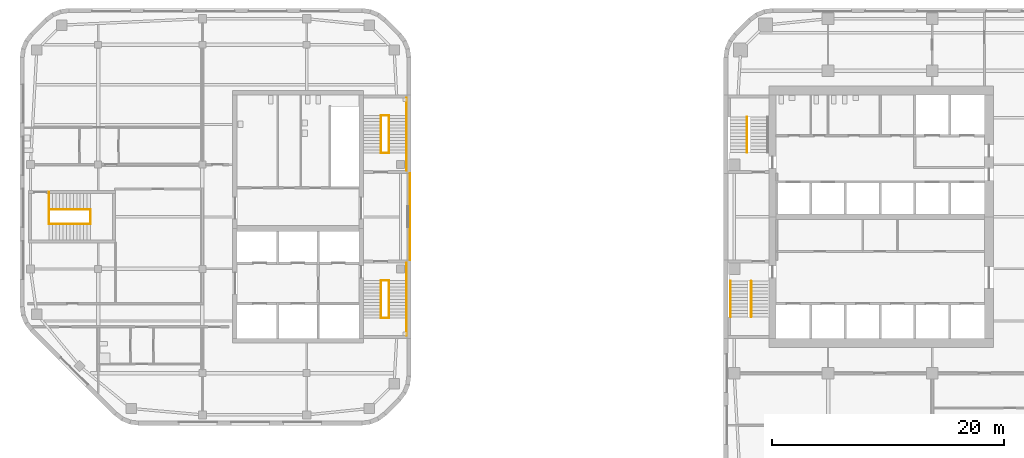
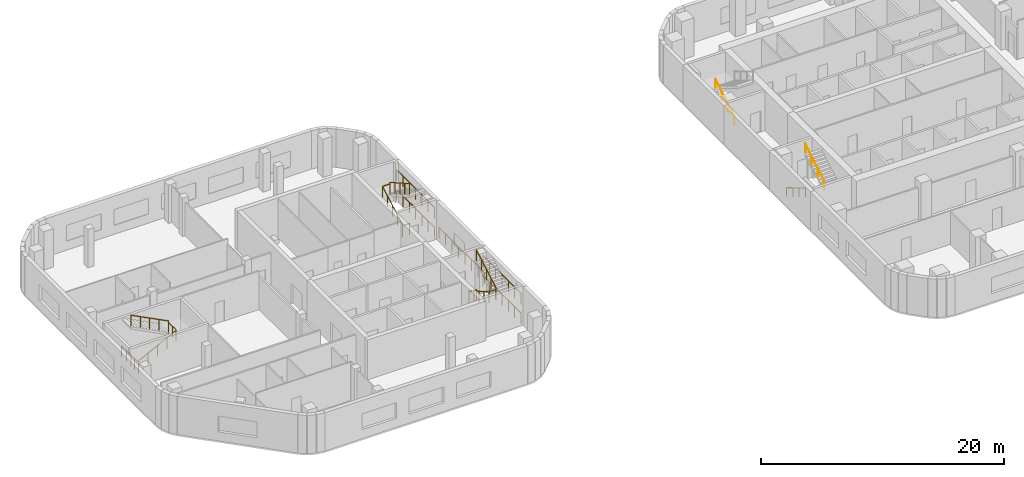
# One storey, part 12 of 14: 21 railings, 2 elements without a shape of their own.
"""IFC4 building model written with IfcOpenShell, lengths in metres."""

from ifc_helpers import new_model, si_unit, direction, frame, origin, origin_2d, place, context, subcontext, project, spatial, circle, extrude, material, type_object, element, aggregate, save


model = new_model("IFC4")

# Units and contexts
model_context = context("Model", 3, precision=1e-05, world=origin(), true_north=direction((0.0, 1.0)))
body_context = subcontext(model_context, "Body", "Model", "MODEL_VIEW")
ifc_project = project(units=[si_unit("LENGTHUNIT", "METRE"), si_unit("AREAUNIT", "SQUARE_METRE"), si_unit("VOLUMEUNIT", "CUBIC_METRE"), si_unit("PLANEANGLEUNIT", "RADIAN"), si_unit("MASSUNIT", "GRAM", prefix="KILO")], contexts=[model_context])

# Site, building, storey
site_placement = place(None, origin())
site = spatial("IfcSite", under=ifc_project, at=site_placement, CompositionType="ELEMENT")
building_placement = place(site_placement, origin())
building = spatial("IfcBuilding", under=site, at=building_placement, Name="Cinnabar Reach Civic Tower", CompositionType="ELEMENT")
storey_placement = place(building_placement, frame((0.0, 0.0, 104.0)))
storey = spatial("IfcBuildingStorey", under=building, at=storey_placement, Name="L24", CompositionType="ELEMENT", Elevation=104.0)

# Stair, railings
ifc_material_1 = material(Name="Concrete C40/50", Category="concrete")
stair_type = type_object("IfcStairType", Name="T1 Exit stair, half-turn", PredefinedType="HALF_TURN_STAIR", material=ifc_material_1)
stair_1_placement = place(storey_placement, origin())
stair_1 = element("IfcStair", 1, at=stair_1_placement, inside=storey, type_object=stair_type, Name="Stair T1-S1", PredefinedType="HALF_TURN_STAIR")
ifc_material_2 = material(Name="Stainless steel tube", Category="steel")
railing_type_1 = type_object("IfcRailingType", Name="T1 Stair handrail, stainless tube 48", PredefinedType="HANDRAIL", material=ifc_material_2)
railing_1_placement = place(storey_placement, frame((0.6, 25.95, 0.1667)))
railing_1 = element("IfcRailing", 2, at=railing_1_placement, type_object=railing_type_1, Name="T1-S1 handrail 1", PredefinedType="HANDRAIL", context=body_context, shape_type="SweptSolid", body=[
    extrude(circle(Radius=0.024, at=origin_2d()), frame((0.0, 0.0, 0.876), z_axis=(0.0, -0.859296971757, 0.511476992962), x_axis=(1.0, 0.0, 0.0)), (0.0, 0.0, 1.0), 3.5843),
    extrude(circle(Radius=0.021, at=origin_2d()), origin(), (0.0, 0.0, 1.0), 0.852),
    extrude(circle(Radius=0.021, at=origin_2d()), frame((0.0, -1.0267, 0.6111)), (0.0, 0.0, 1.0), 0.852),
    extrude(circle(Radius=0.021, at=origin_2d()), frame((0.0, -2.0533, 1.2222)), (0.0, 0.0, 1.0), 0.852),
    extrude(circle(Radius=0.021, at=origin_2d()), frame((0.0, -3.08, 1.8333)), (0.0, 0.0, 1.0), 0.852),
])
railing_2_placement = place(storey_placement, frame((2.375, 22.87, 2.1667)))
railing_2 = element("IfcRailing", 3, at=railing_2_placement, type_object=railing_type_1, Name="T1-S1 handrail 2", PredefinedType="HANDRAIL", context=body_context, shape_type="SweptSolid", body=[
    extrude(circle(Radius=0.024, at=origin_2d()), frame((0.0, 0.0, 0.876), z_axis=(0.0, 0.859296971757, 0.511476992962), x_axis=(-1.0, 0.0, 0.0)), (0.0, 0.0, 1.0), 3.5843),
    extrude(circle(Radius=0.021, at=origin_2d()), origin(), (0.0, 0.0, 1.0), 0.852),
    extrude(circle(Radius=0.021, at=origin_2d()), frame((0.0, 1.0267, 0.6111)), (0.0, 0.0, 1.0), 0.852),
    extrude(circle(Radius=0.021, at=origin_2d()), frame((0.0, 2.0533, 1.2222)), (0.0, 0.0, 1.0), 0.852),
    extrude(circle(Radius=0.021, at=origin_2d()), frame((0.0, 3.08, 1.8333)), (0.0, 0.0, 1.0), 0.852),
])
aggregate(stair_1, [railing_1, railing_2])

# Stair, railing
stair_2_placement = place(storey_placement, origin())
stair_2 = element("IfcStair", 4, at=stair_2_placement, inside=storey, type_object=stair_type, Name="Stair T1-S2", PredefinedType="HALF_TURN_STAIR")
railing_3_placement = place(storey_placement, frame((2.025, 37.05, 0.1667)))
railing_3 = element("IfcRailing", 5, at=railing_3_placement, type_object=railing_type_1, Name="T1-S2 handrail 1", PredefinedType="HANDRAIL", context=body_context, shape_type="SweptSolid", body=[
    extrude(circle(Radius=0.024, at=origin_2d()), frame((0.0, 0.0, 0.876), z_axis=(0.0, 0.859296971757, 0.511476992962), x_axis=(-1.0, 0.0, 0.0)), (0.0, 0.0, 1.0), 3.5843),
    extrude(circle(Radius=0.021, at=origin_2d()), origin(), (0.0, 0.0, 1.0), 0.852),
    extrude(circle(Radius=0.021, at=origin_2d()), frame((0.0, 1.0267, 0.6111)), (0.0, 0.0, 1.0), 0.852),
    extrude(circle(Radius=0.021, at=origin_2d()), frame((0.0, 2.0533, 1.2222)), (0.0, 0.0, 1.0), 0.852),
    extrude(circle(Radius=0.021, at=origin_2d()), frame((0.0, 3.08, 1.8333)), (0.0, 0.0, 1.0), 0.852),
])
aggregate(stair_2, [railing_3])

# Railings
ifc_material_3 = material(Name="Stainless steel", Category="steel")
railing_type_2 = type_object("IfcRailingType", Name="T2 Stair guard 1100", PredefinedType="GUARDRAIL", material=ifc_material_3)
railing_4_placement = place(storey_placement, frame((-27.1, 27.75, 0.0)))
element("IfcRailing", 6, at=railing_4_placement, inside=storey, type_object=railing_type_2, Name="Corridor end guard", PredefinedType="GUARDRAIL", context=body_context, shape_type="SweptSolid", body=[
    extrude(circle(Radius=0.024, at=origin_2d()), frame((0.0, 0.0, 1.076), z_axis=(0.0, 1.0, 0.0), x_axis=(-1.0, 0.0, 0.0)), (0.0, 0.0, 1.0), 7.5),
    extrude(circle(Radius=0.021, at=origin_2d()), origin(), (0.0, 0.0, 1.0), 1.052),
    extrude(circle(Radius=0.021, at=origin_2d()), frame((0.0, 1.0714, 0.0)), (0.0, 0.0, 1.0), 1.052),
    extrude(circle(Radius=0.021, at=origin_2d()), frame((0.0, 2.1429, 0.0)), (0.0, 0.0, 1.0), 1.052),
    extrude(circle(Radius=0.021, at=origin_2d()), frame((0.0, 3.2143, 0.0)), (0.0, 0.0, 1.0), 1.052),
    extrude(circle(Radius=0.021, at=origin_2d()), frame((0.0, 4.2857, 0.0)), (0.0, 0.0, 1.0), 1.052),
    extrude(circle(Radius=0.021, at=origin_2d()), frame((0.0, 5.3571, 0.0)), (0.0, 0.0, 1.0), 1.052),
    extrude(circle(Radius=0.021, at=origin_2d()), frame((0.0, 6.4286, 0.0)), (0.0, 0.0, 1.0), 1.052),
    extrude(circle(Radius=0.021, at=origin_2d()), frame((0.0, 7.5, 0.0)), (0.0, 0.0, 1.0), 1.052),
])
for number, where, name in (
    (7, (-27.4, 21.25, 0.0), "Stair guard 1"),
    (8, (-27.4, 21.25, 2.0), "Stair guard 1"),
):
    element("IfcRailing", number, at=place(storey_placement, frame(where)), inside=storey, type_object=railing_type_2, Name=name, PredefinedType="GUARDRAIL", context=body_context, shape_type="SweptSolid", body=[
        extrude(circle(Radius=0.024, at=origin_2d()), frame((0.0, 0.0, 1.076), z_axis=(0.0, 1.0, 0.0), x_axis=(-1.0, 0.0, 0.0)), (0.0, 0.0, 1.0), 6.25),
        extrude(circle(Radius=0.021, at=origin_2d()), origin(), (0.0, 0.0, 1.0), 1.052),
        extrude(circle(Radius=0.021, at=origin_2d()), frame((0.0, 1.0417, 0.0)), (0.0, 0.0, 1.0), 1.052),
        extrude(circle(Radius=0.021, at=origin_2d()), frame((0.0, 2.0833, 0.0)), (0.0, 0.0, 1.0), 1.052),
        extrude(circle(Radius=0.021, at=origin_2d()), frame((0.0, 3.125, 0.0)), (0.0, 0.0, 1.0), 1.052),
        extrude(circle(Radius=0.021, at=origin_2d()), frame((0.0, 4.1667, 0.0)), (0.0, 0.0, 1.0), 1.052),
        extrude(circle(Radius=0.021, at=origin_2d()), frame((0.0, 5.2083, 0.0)), (0.0, 0.0, 1.0), 1.052),
        extrude(circle(Radius=0.021, at=origin_2d()), frame((0.0, 6.25, 0.0)), (0.0, 0.0, 1.0), 1.052),
    ])
for number, where, name in (
    (9, (-29.6, 26.0, 0.0), "Stair guard 1"),
    (10, (-29.6, 22.75, 2.0), "Stair guard 1"),
):
    element("IfcRailing", number, at=place(storey_placement, frame(where)), inside=storey, type_object=railing_type_2, Name=name, PredefinedType="GUARDRAIL", context=body_context, shape_type="SweptSolid", body=[
        extrude(circle(Radius=0.024, at=origin_2d()), frame((0.0, 0.0, 1.076), z_axis=(1.0, 0.0, 0.0), x_axis=(0.0, 1.0, 0.0)), (0.0, 0.0, 1.0), 0.7),
        extrude(circle(Radius=0.021, at=origin_2d()), origin(), (0.0, 0.0, 1.0), 1.052),
        extrude(circle(Radius=0.021, at=origin_2d()), frame((0.7, 0.0, 0.0)), (0.0, 0.0, 1.0), 1.052),
    ])
railing_5_placement = place(storey_placement, frame((-29.6, 26.0, 0.1538)))
element("IfcRailing", 11, at=railing_5_placement, inside=storey, type_object=railing_type_2, Name="Stair guard 1", PredefinedType="GUARDRAIL", context=body_context, shape_type="SweptSolid", body=[
    extrude(circle(Radius=0.024, at=origin_2d()), frame((0.0, 0.0, 1.076), z_axis=(0.0, -0.869501474428, 0.493930345258), x_axis=(1.0, 0.0, 0.0)), (0.0, 0.0, 1.0), 3.7378),
    extrude(circle(Radius=0.021, at=origin_2d()), origin(), (0.0, 0.0, 1.0), 1.052),
    extrude(circle(Radius=0.021, at=origin_2d()), frame((0.0, -0.8125, 0.4615)), (0.0, 0.0, 1.0), 1.052),
    extrude(circle(Radius=0.021, at=origin_2d()), frame((0.0, -1.625, 0.9231)), (0.0, 0.0, 1.0), 1.052),
    extrude(circle(Radius=0.021, at=origin_2d()), frame((0.0, -2.4375, 1.3846)), (0.0, 0.0, 1.0), 1.052),
    extrude(circle(Radius=0.021, at=origin_2d()), frame((0.0, -3.25, 1.8462)), (0.0, 0.0, 1.0), 1.052),
])
railing_6_placement = place(storey_placement, frame((-28.9, 22.75, 2.1538)))
element("IfcRailing", 12, at=railing_6_placement, inside=storey, type_object=railing_type_2, Name="Stair guard 1", PredefinedType="GUARDRAIL", context=body_context, shape_type="SweptSolid", body=[
    extrude(circle(Radius=0.024, at=origin_2d()), frame((0.0, 0.0, 1.076), z_axis=(0.0, 0.869501474428, 0.493930345258), x_axis=(-1.0, 0.0, 0.0)), (0.0, 0.0, 1.0), 3.7378),
    extrude(circle(Radius=0.021, at=origin_2d()), origin(), (0.0, 0.0, 1.0), 1.052),
    extrude(circle(Radius=0.021, at=origin_2d()), frame((0.0, 0.8125, 0.4615)), (0.0, 0.0, 1.0), 1.052),
    extrude(circle(Radius=0.021, at=origin_2d()), frame((0.0, 1.625, 0.9231)), (0.0, 0.0, 1.0), 1.052),
    extrude(circle(Radius=0.021, at=origin_2d()), frame((0.0, 2.4375, 1.3846)), (0.0, 0.0, 1.0), 1.052),
    extrude(circle(Radius=0.021, at=origin_2d()), frame((0.0, 3.25, 1.8462)), (0.0, 0.0, 1.0), 1.052),
])
for number, where, name in (
    (13, (-27.4, 35.5, 0.0), "Stair guard 2"),
    (14, (-27.4, 35.5, 2.0), "Stair guard 2"),
):
    element("IfcRailing", number, at=place(storey_placement, frame(where)), inside=storey, type_object=railing_type_2, Name=name, PredefinedType="GUARDRAIL", context=body_context, shape_type="SweptSolid", body=[
        extrude(circle(Radius=0.024, at=origin_2d()), frame((0.0, 0.0, 1.076), z_axis=(0.0, 1.0, 0.0), x_axis=(-1.0, 0.0, 0.0)), (0.0, 0.0, 1.0), 6.25),
        extrude(circle(Radius=0.021, at=origin_2d()), origin(), (0.0, 0.0, 1.0), 1.052),
        extrude(circle(Radius=0.021, at=origin_2d()), frame((0.0, 1.0417, 0.0)), (0.0, 0.0, 1.0), 1.052),
        extrude(circle(Radius=0.021, at=origin_2d()), frame((0.0, 2.0833, 0.0)), (0.0, 0.0, 1.0), 1.052),
        extrude(circle(Radius=0.021, at=origin_2d()), frame((0.0, 3.125, 0.0)), (0.0, 0.0, 1.0), 1.052),
        extrude(circle(Radius=0.021, at=origin_2d()), frame((0.0, 4.1667, 0.0)), (0.0, 0.0, 1.0), 1.052),
        extrude(circle(Radius=0.021, at=origin_2d()), frame((0.0, 5.2083, 0.0)), (0.0, 0.0, 1.0), 1.052),
        extrude(circle(Radius=0.021, at=origin_2d()), frame((0.0, 6.25, 0.0)), (0.0, 0.0, 1.0), 1.052),
    ])
for number, where, name in (
    (15, (-29.6, 37.0, 0.0), "Stair guard 2"),
    (16, (-29.6, 40.25, 2.0), "Stair guard 2"),
):
    element("IfcRailing", number, at=place(storey_placement, frame(where)), inside=storey, type_object=railing_type_2, Name=name, PredefinedType="GUARDRAIL", context=body_context, shape_type="SweptSolid", body=[
        extrude(circle(Radius=0.024, at=origin_2d()), frame((0.0, 0.0, 1.076), z_axis=(1.0, 0.0, 0.0), x_axis=(0.0, 1.0, 0.0)), (0.0, 0.0, 1.0), 0.7),
        extrude(circle(Radius=0.021, at=origin_2d()), origin(), (0.0, 0.0, 1.0), 1.052),
        extrude(circle(Radius=0.021, at=origin_2d()), frame((0.7, 0.0, 0.0)), (0.0, 0.0, 1.0), 1.052),
    ])
railing_7_placement = place(storey_placement, frame((-29.6, 37.0, 0.1538)))
element("IfcRailing", 17, at=railing_7_placement, inside=storey, type_object=railing_type_2, Name="Stair guard 2", PredefinedType="GUARDRAIL", context=body_context, shape_type="SweptSolid", body=[
    extrude(circle(Radius=0.024, at=origin_2d()), frame((0.0, 0.0, 1.076), z_axis=(0.0, 0.869501474428, 0.493930345258), x_axis=(-1.0, 0.0, 0.0)), (0.0, 0.0, 1.0), 3.7378),
    extrude(circle(Radius=0.021, at=origin_2d()), origin(), (0.0, 0.0, 1.0), 1.052),
    extrude(circle(Radius=0.021, at=origin_2d()), frame((0.0, 0.8125, 0.4615)), (0.0, 0.0, 1.0), 1.052),
    extrude(circle(Radius=0.021, at=origin_2d()), frame((0.0, 1.625, 0.9231)), (0.0, 0.0, 1.0), 1.052),
    extrude(circle(Radius=0.021, at=origin_2d()), frame((0.0, 2.4375, 1.3846)), (0.0, 0.0, 1.0), 1.052),
    extrude(circle(Radius=0.021, at=origin_2d()), frame((0.0, 3.25, 1.8462)), (0.0, 0.0, 1.0), 1.052),
])
railing_8_placement = place(storey_placement, frame((-28.9, 40.25, 2.1538)))
element("IfcRailing", 18, at=railing_8_placement, inside=storey, type_object=railing_type_2, Name="Stair guard 2", PredefinedType="GUARDRAIL", context=body_context, shape_type="SweptSolid", body=[
    extrude(circle(Radius=0.024, at=origin_2d()), frame((0.0, 0.0, 1.076), z_axis=(0.0, -0.869501474428, 0.493930345258), x_axis=(1.0, 0.0, 0.0)), (0.0, 0.0, 1.0), 3.7378),
    extrude(circle(Radius=0.021, at=origin_2d()), origin(), (0.0, 0.0, 1.0), 1.052),
    extrude(circle(Radius=0.021, at=origin_2d()), frame((0.0, -0.8125, 0.4615)), (0.0, 0.0, 1.0), 1.052),
    extrude(circle(Radius=0.021, at=origin_2d()), frame((0.0, -1.625, 0.9231)), (0.0, 0.0, 1.0), 1.052),
    extrude(circle(Radius=0.021, at=origin_2d()), frame((0.0, -2.4375, 1.3846)), (0.0, 0.0, 1.0), 1.052),
    extrude(circle(Radius=0.021, at=origin_2d()), frame((0.0, -3.25, 1.8462)), (0.0, 0.0, 1.0), 1.052),
])
railing_9_placement = place(storey_placement, frame((-58.25, 30.875, 0.0)))
element("IfcRailing", 19, at=railing_9_placement, inside=storey, type_object=railing_type_2, Name="Stair guard 3", PredefinedType="GUARDRAIL", context=body_context, shape_type="SweptSolid", body=[
    extrude(circle(Radius=0.024, at=origin_2d()), frame((0.0, 0.0, 1.076), z_axis=(0.0, 1.0, 0.0), x_axis=(-1.0, 0.0, 0.0)), (0.0, 0.0, 1.0), 1.25),
    extrude(circle(Radius=0.021, at=origin_2d()), origin(), (0.0, 0.0, 1.0), 1.052),
    extrude(circle(Radius=0.021, at=origin_2d()), frame((0.0, 0.625, 0.0)), (0.0, 0.0, 1.0), 1.052),
    extrude(circle(Radius=0.021, at=origin_2d()), frame((0.0, 1.25, 0.0)), (0.0, 0.0, 1.0), 1.052),
])
railing_10_placement = place(storey_placement, frame((-58.25, 32.125, 0.0)))
element("IfcRailing", 20, at=railing_10_placement, inside=storey, type_object=railing_type_2, Name="Stair guard 3", PredefinedType="GUARDRAIL", context=body_context, shape_type="SweptSolid", body=[
    extrude(circle(Radius=0.024, at=origin_2d()), frame((0.0, 0.0, 1.076), z_axis=(0.0, 1.0, 0.0), x_axis=(-1.0, 0.0, 0.0)), (0.0, 0.0, 1.0), 1.5),
    extrude(circle(Radius=0.021, at=origin_2d()), origin(), (0.0, 0.0, 1.0), 1.052),
    extrude(circle(Radius=0.021, at=origin_2d()), frame((0.0, 0.75, 0.0)), (0.0, 0.0, 1.0), 1.052),
    extrude(circle(Radius=0.021, at=origin_2d()), frame((0.0, 1.5, 0.0)), (0.0, 0.0, 1.0), 1.052),
])
railing_11_placement = place(storey_placement, frame((-54.65, 30.875, 2.0)))
element("IfcRailing", 21, at=railing_11_placement, inside=storey, type_object=railing_type_2, Name="Stair guard 3", PredefinedType="GUARDRAIL", context=body_context, shape_type="SweptSolid", body=[
    extrude(circle(Radius=0.024, at=origin_2d()), frame((0.0, 0.0, 1.076), z_axis=(0.0, 1.0, 0.0), x_axis=(-1.0, 0.0, 0.0)), (0.0, 0.0, 1.0), 1.25),
    extrude(circle(Radius=0.021, at=origin_2d()), origin(), (0.0, 0.0, 1.0), 1.052),
    extrude(circle(Radius=0.021, at=origin_2d()), frame((0.0, 0.625, 0.0)), (0.0, 0.0, 1.0), 1.052),
    extrude(circle(Radius=0.021, at=origin_2d()), frame((0.0, 1.25, 0.0)), (0.0, 0.0, 1.0), 1.052),
])
railing_12_placement = place(storey_placement, frame((-58.25, 30.875, 0.1538)))
element("IfcRailing", 22, at=railing_12_placement, inside=storey, type_object=railing_type_2, Name="Stair guard 3", PredefinedType="GUARDRAIL", context=body_context, shape_type="SweptSolid", body=[
    extrude(circle(Radius=0.024, at=origin_2d()), frame((0.0, 0.0, 1.076), z_axis=(0.889812830738, 0.0, 0.45632568003), x_axis=(0.0, 1.0, 0.0)), (0.0, 0.0, 1.0), 4.0458),
    extrude(circle(Radius=0.021, at=origin_2d()), origin(), (0.0, 0.0, 1.0), 1.052),
    extrude(circle(Radius=0.021, at=origin_2d()), frame((0.9, 0.0, 0.4615)), (0.0, 0.0, 1.0), 1.052),
    extrude(circle(Radius=0.021, at=origin_2d()), frame((1.8, 0.0, 0.9231)), (0.0, 0.0, 1.0), 1.052),
    extrude(circle(Radius=0.021, at=origin_2d()), frame((2.7, 0.0, 1.3846)), (0.0, 0.0, 1.0), 1.052),
    extrude(circle(Radius=0.021, at=origin_2d()), frame((3.6, 0.0, 1.8462)), (0.0, 0.0, 1.0), 1.052),
])
railing_13_placement = place(storey_placement, frame((-54.65, 32.125, 2.1538)))
element("IfcRailing", 23, at=railing_13_placement, inside=storey, type_object=railing_type_2, Name="Stair guard 3", PredefinedType="GUARDRAIL", context=body_context, shape_type="SweptSolid", body=[
    extrude(circle(Radius=0.024, at=origin_2d()), frame((0.0, 0.0, 1.076), z_axis=(-0.889812830738, 0.0, 0.45632568003), x_axis=(0.0, -1.0, 0.0)), (0.0, 0.0, 1.0), 4.0458),
    extrude(circle(Radius=0.021, at=origin_2d()), origin(), (0.0, 0.0, 1.0), 1.052),
    extrude(circle(Radius=0.021, at=origin_2d()), frame((-0.9, 0.0, 0.4615)), (0.0, 0.0, 1.0), 1.052),
    extrude(circle(Radius=0.021, at=origin_2d()), frame((-1.8, 0.0, 0.9231)), (0.0, 0.0, 1.0), 1.052),
    extrude(circle(Radius=0.021, at=origin_2d()), frame((-2.7, 0.0, 1.3846)), (0.0, 0.0, 1.0), 1.052),
    extrude(circle(Radius=0.021, at=origin_2d()), frame((-3.6, 0.0, 1.8462)), (0.0, 0.0, 1.0), 1.052),
])

save(model, "model.ifc")
